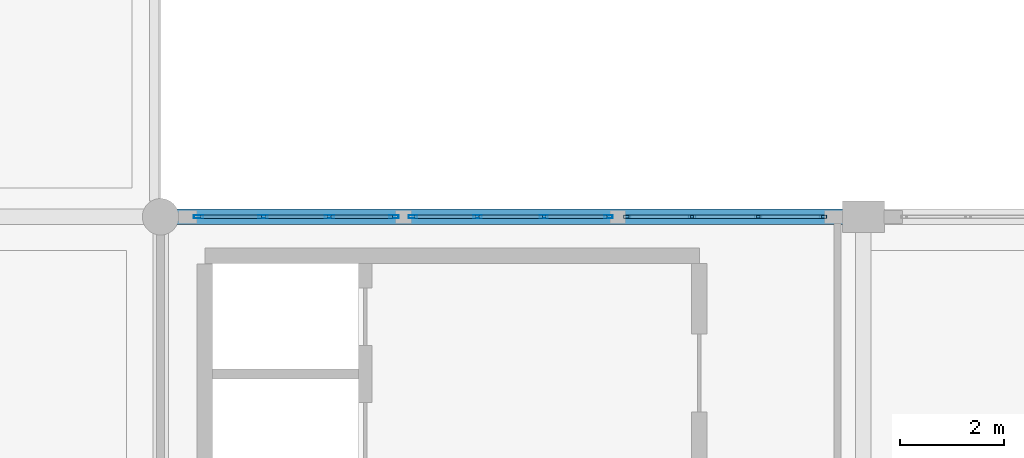
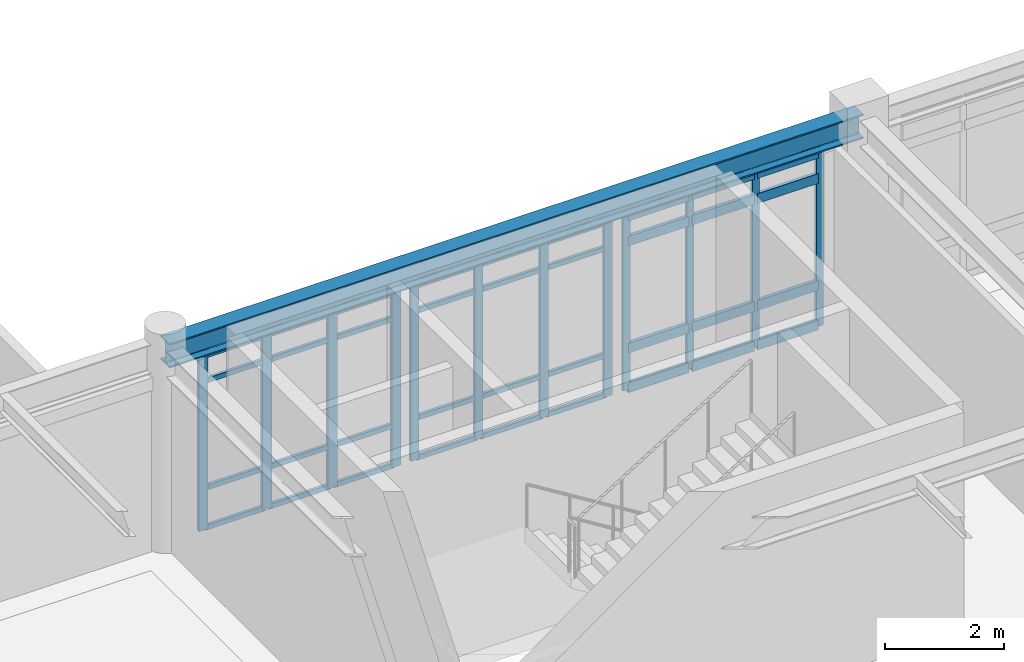
# One storey, part 7 of 61: 48 members, 1 beam, 3 elements without a shape of their own.
"""IFC4 building model written with IfcOpenShell, lengths in metres."""

from ifc_helpers import new_model, si_unit, direction, frame, origin, origin_2d, place, context, subcontext, project, spatial, hollow_rectangle, i_section, extrude, material, layer, layer_set, material_profile, profile_set, type_object, element, aggregate, save


model = new_model("IFC4")

# Units and contexts
model_context = context("Model", 3, precision=1e-05, world=origin(), true_north=direction((0.0, 1.0)))
body_context = subcontext(model_context, "Body", "Model", "MODEL_VIEW")
ifc_project = project(units=[si_unit("LENGTHUNIT", "METRE"), si_unit("AREAUNIT", "SQUARE_METRE"), si_unit("VOLUMEUNIT", "CUBIC_METRE"), si_unit("PLANEANGLEUNIT", "RADIAN"), si_unit("MASSUNIT", "GRAM", prefix="KILO")], contexts=[model_context])

# Site, building, storey
site_placement = place(None, origin())
site = spatial("IfcSite", under=ifc_project, at=site_placement, CompositionType="ELEMENT")
building_placement = place(site_placement, origin())
building = spatial("IfcBuilding", under=site, at=building_placement, Name="Fikremerkos Civic Library", CompositionType="ELEMENT")
storey_placement = place(building_placement, frame((0.0, 0.0, 14.39990234375)))
storey = spatial("IfcBuildingStorey", under=building, at=storey_placement, Name="L03", CompositionType="ELEMENT", Elevation=14.39990234375)

# Curtain wall, members
ifc_material_1 = material(Name="Anodized aluminium Frame", Category="aluminium")
ifc_layer_1 = layer(ifc_material_1, 0.159912109375, Name="Anodized aluminium Frame")
ifc_layer_set_1 = layer_set([ifc_layer_1], Name="Anodized aluminium Frame")
curtain_wall_type_1 = type_object("IfcCurtainWallType", Name="Unitised curtain wall CW-05 3800x4100", PredefinedType="USERDEFINED", material=ifc_layer_set_1)
curtain_wall_1_placement = place(storey_placement, origin())
curtain_wall_1 = element("IfcCurtainWall", 1, at=curtain_wall_1_placement, inside=storey, type_object=curtain_wall_type_1, Name="Unitised curtain wall CW-05 L03 #185", ObjectType="UNITISED CURTAIN WALL", PredefinedType="USERDEFINED")
ifc_material_profile_1 = material_profile(ifc_material_1, hollow_rectangle(XDim=0.06494140625, YDim=0.179931640625, WallThickness=0.00439453125, at=origin_2d()), Name="ALU 180x65x4.5")
ifc_profile_set_1 = profile_set([ifc_material_profile_1], Name="Anodized aluminium Frame")
member_type_1 = type_object("IfcMemberType", Name="Curtain mullion CWM-01 ALU 180x65x4.5", PredefinedType="MULLION", material=ifc_profile_set_1)
member_1_placement = place(storey_placement, frame((19.930419921875, 31.199951171875, 0.0), z_axis=(0.0, 0.0, 1.0), x_axis=(0.0, 1.0, 0.0)))
member_1 = element("IfcMember", 2, at=member_1_placement, type_object=member_type_1, Name="CW-05 mullion 1", PredefinedType="MULLION", context=body_context, shape_type="SweptSolid", body=[
    extrude(hollow_rectangle(XDim=0.06494140625, YDim=0.179931640625, WallThickness=0.00439453125, at=origin_2d()), origin(), (0.0, 0.0, 1.0), 3.60009765625),
])
member_2_placement = place(storey_placement, frame((21.170654296875, 31.199951171875, 0.0), z_axis=(0.0, 0.0, 1.0), x_axis=(0.0, 1.0, 0.0)))
member_2 = element("IfcMember", 3, at=member_2_placement, type_object=member_type_1, Name="CW-05 mullion 2", PredefinedType="MULLION", context=body_context, shape_type="SweptSolid", body=[
    extrude(hollow_rectangle(XDim=0.06494140625, YDim=0.179931640625, WallThickness=0.00439453125, at=origin_2d()), origin(), (0.0, 0.0, 1.0), 3.60009765625),
])
member_3_placement = place(storey_placement, frame((22.443359375, 31.199951171875, 0.0), z_axis=(0.0, 0.0, 1.0), x_axis=(0.0, 1.0, 0.0)))
member_3 = element("IfcMember", 4, at=member_3_placement, type_object=member_type_1, Name="CW-05 mullion 3", PredefinedType="MULLION", context=body_context, shape_type="SweptSolid", body=[
    extrude(hollow_rectangle(XDim=0.06494140625, YDim=0.179931640625, WallThickness=0.00439453125, at=origin_2d()), origin(), (0.0, 0.0, 1.0), 3.60009765625),
])
member_4_placement = place(storey_placement, frame((23.68359375, 31.199951171875, 0.0), z_axis=(0.0, 0.0, 1.0), x_axis=(0.0, 1.0, 0.0)))
member_4 = element("IfcMember", 5, at=member_4_placement, type_object=member_type_1, Name="CW-05 mullion 4", PredefinedType="MULLION", context=body_context, shape_type="SweptSolid", body=[
    extrude(hollow_rectangle(XDim=0.06494140625, YDim=0.179931640625, WallThickness=0.00439453125, at=origin_2d()), origin(), (0.0, 0.0, 1.0), 3.60009765625),
])

ifc_layer_2 = layer(ifc_material_1, 0.159912109375, Name="Anodized aluminium Frame")
ifc_layer_set_2 = layer_set([ifc_layer_2], Name="Anodized aluminium Frame")
curtain_wall_type_2 = type_object("IfcCurtainWallType", Name="Unitised curtain wall CW-06 4200x4100", PredefinedType="USERDEFINED", material=ifc_layer_set_2)
curtain_wall_2_placement = place(storey_placement, origin())
curtain_wall_2 = element("IfcCurtainWall", 6, at=curtain_wall_2_placement, inside=storey, type_object=curtain_wall_type_2, Name="Unitised curtain wall CW-06 L03 #186", ObjectType="UNITISED CURTAIN WALL", PredefinedType="USERDEFINED")
ifc_material_profile_2 = material_profile(ifc_material_1, hollow_rectangle(XDim=0.06005859375, YDim=0.159912109375, WallThickness=0.00390625, at=origin_2d()), Name="ALU 160x60x4")
ifc_profile_set_2 = profile_set([ifc_material_profile_2], Name="Anodized aluminium Frame")
member_type_2 = type_object("IfcMemberType", Name="Curtain mullion CWM-02 ALU 160x60x4", PredefinedType="MULLION", material=ifc_profile_set_2)
member_5_placement = place(storey_placement, frame((24.0458984375, 31.199951171875, 0.0), z_axis=(0.0, 0.0, 1.0), x_axis=(0.0, 1.0, 0.0)))
member_5 = element("IfcMember", 7, at=member_5_placement, type_object=member_type_2, Name="CW-06 mullion 1", PredefinedType="MULLION", context=body_context, shape_type="SweptSolid", body=[
    extrude(hollow_rectangle(XDim=0.06005859375, YDim=0.159912109375, WallThickness=0.00390625, at=origin_2d()), origin(), (0.0, 0.0, 1.0), 3.60009765625),
])
member_6_placement = place(storey_placement, frame((25.28857421875, 31.199951171875, 0.0), z_axis=(0.0, 0.0, 1.0), x_axis=(0.0, 1.0, 0.0)))
member_6 = element("IfcMember", 8, at=member_6_placement, type_object=member_type_2, Name="CW-06 mullion 2", PredefinedType="MULLION", context=body_context, shape_type="SweptSolid", body=[
    extrude(hollow_rectangle(XDim=0.06005859375, YDim=0.159912109375, WallThickness=0.00390625, at=origin_2d()), origin(), (0.0, 0.0, 1.0), 3.60009765625),
])
member_7_placement = place(storey_placement, frame((26.561279296875, 31.199951171875, 0.0), z_axis=(0.0, 0.0, 1.0), x_axis=(0.0, 1.0, 0.0)))
member_7 = element("IfcMember", 9, at=member_7_placement, type_object=member_type_2, Name="CW-06 mullion 3", PredefinedType="MULLION", context=body_context, shape_type="SweptSolid", body=[
    extrude(hollow_rectangle(XDim=0.06005859375, YDim=0.159912109375, WallThickness=0.00390625, at=origin_2d()), origin(), (0.0, 0.0, 1.0), 3.60009765625),
])
member_8_placement = place(storey_placement, frame((27.803955078125, 31.199951171875, 0.0), z_axis=(0.0, 0.0, 1.0), x_axis=(0.0, 1.0, 0.0)))
member_8 = element("IfcMember", 10, at=member_8_placement, type_object=member_type_2, Name="CW-06 mullion 4", PredefinedType="MULLION", context=body_context, shape_type="SweptSolid", body=[
    extrude(hollow_rectangle(XDim=0.06005859375, YDim=0.159912109375, WallThickness=0.00390625, at=origin_2d()), origin(), (0.0, 0.0, 1.0), 3.60009765625),
])

ifc_layer_3 = layer(ifc_material_1, 0.159912109375, Name="Anodized aluminium Frame")
ifc_layer_set_3 = layer_set([ifc_layer_3], Name="Anodized aluminium Frame")
curtain_wall_type_3 = type_object("IfcCurtainWallType", Name="Unitised curtain wall CW-07 3500x4100", PredefinedType="USERDEFINED", material=ifc_layer_set_3)
curtain_wall_3_placement = place(storey_placement, origin())
curtain_wall_3 = element("IfcCurtainWall", 11, at=curtain_wall_3_placement, inside=storey, type_object=curtain_wall_type_3, Name="Unitised curtain wall CW-07 L03 #187", ObjectType="UNITISED CURTAIN WALL", PredefinedType="USERDEFINED")
ifc_material_profile_3 = material_profile(ifc_material_1, hollow_rectangle(XDim=0.06005859375, YDim=0.139892578125, WallThickness=0.00390625, at=origin_2d()), Name="ALU 140x60x4")
ifc_profile_set_3 = profile_set([ifc_material_profile_3], Name="Anodized aluminium Frame")
member_type_3 = type_object("IfcMemberType", Name="Curtain mullion CWM-03 ALU 140x60x4", PredefinedType="MULLION", material=ifc_profile_set_3)
member_9_placement = place(storey_placement, frame((28.1640625, 31.199951171875, 0.0), z_axis=(0.0, 0.0, 1.0), x_axis=(0.0, 1.0, 0.0)))
member_9 = element("IfcMember", 12, at=member_9_placement, type_object=member_type_3, Name="CW-07 mullion 1", PredefinedType="MULLION", context=body_context, shape_type="SweptSolid", body=[
    extrude(hollow_rectangle(XDim=0.06005859375, YDim=0.139892578125, WallThickness=0.00390625, at=origin_2d()), origin(), (0.0, 0.0, 1.0), 3.60009765625),
])
member_10_placement = place(storey_placement, frame((29.40673828125, 31.199951171875, 0.0), z_axis=(0.0, 0.0, 1.0), x_axis=(0.0, 1.0, 0.0)))
member_10 = element("IfcMember", 13, at=member_10_placement, type_object=member_type_3, Name="CW-07 mullion 2", PredefinedType="MULLION", context=body_context, shape_type="SweptSolid", body=[
    extrude(hollow_rectangle(XDim=0.06005859375, YDim=0.139892578125, WallThickness=0.00390625, at=origin_2d()), origin(), (0.0, 0.0, 1.0), 3.60009765625),
])
member_11_placement = place(storey_placement, frame((30.679443359375, 31.199951171875, 0.0), z_axis=(0.0, 0.0, 1.0), x_axis=(0.0, 1.0, 0.0)))
member_11 = element("IfcMember", 14, at=member_11_placement, type_object=member_type_3, Name="CW-07 mullion 3", PredefinedType="MULLION", context=body_context, shape_type="SweptSolid", body=[
    extrude(hollow_rectangle(XDim=0.06005859375, YDim=0.139892578125, WallThickness=0.00390625, at=origin_2d()), origin(), (0.0, 0.0, 1.0), 3.60009765625),
])
member_12_placement = place(storey_placement, frame((31.922119140625, 31.199951171875, 0.0), z_axis=(0.0, 0.0, 1.0), x_axis=(0.0, 1.0, 0.0)))
member_12 = element("IfcMember", 15, at=member_12_placement, type_object=member_type_3, Name="CW-07 mullion 4", PredefinedType="MULLION", context=body_context, shape_type="SweptSolid", body=[
    extrude(hollow_rectangle(XDim=0.06005859375, YDim=0.139892578125, WallThickness=0.00390625, at=origin_2d()), origin(), (0.0, 0.0, 1.0), 3.60009765625),
])

# Member
ifc_material_profile_4 = material_profile(ifc_material_1, hollow_rectangle(XDim=0.06005859375, YDim=0.10009765625, WallThickness=0.00390625, at=origin_2d()), Name="ALU 100x60x4")
ifc_profile_set_4 = profile_set([ifc_material_profile_4], Name="Anodized aluminium Frame")
member_type_4 = type_object("IfcMemberType", Name="Curtain transom CWT-03 ALU 100x60x4", PredefinedType="USERDEFINED", material=ifc_profile_set_4)
member_13_placement = place(storey_placement, frame((19.962890625, 31.199951171875, 0.030029296875), z_axis=(1.0, 0.0, 0.0), x_axis=(0.0, 1.0, 0.0)))
member_13 = element("IfcMember", 16, at=member_13_placement, type_object=member_type_4, Name="CW-05 transom 1.1", ObjectType="TRANSOM", PredefinedType="USERDEFINED", context=body_context, shape_type="SweptSolid", body=[
    extrude(hollow_rectangle(XDim=0.06005859375, YDim=0.10009765625, WallThickness=0.00390625, at=origin_2d()), origin(), (0.0, 0.0, 1.0), 1.17529296875),
])

member_14_placement = place(storey_placement, frame((19.962890625, 31.199951171875, 0.85009765625), z_axis=(1.0, 0.0, 0.0), x_axis=(0.0, 1.0, 0.0)))
member_14 = element("IfcMember", 17, at=member_14_placement, type_object=member_type_4, Name="CW-05 transom 1.2", ObjectType="TRANSOM", PredefinedType="USERDEFINED", context=body_context, shape_type="SweptSolid", body=[
    extrude(hollow_rectangle(XDim=0.06005859375, YDim=0.10009765625, WallThickness=0.00390625, at=origin_2d()), origin(), (0.0, 0.0, 1.0), 1.17529296875),
])

member_15_placement = place(storey_placement, frame((19.962890625, 31.199951171875, 3.050048828125), z_axis=(1.0, 0.0, 0.0), x_axis=(0.0, 1.0, 0.0)))
member_15 = element("IfcMember", 18, at=member_15_placement, type_object=member_type_4, Name="CW-05 transom 1.3", ObjectType="TRANSOM", PredefinedType="USERDEFINED", context=body_context, shape_type="SweptSolid", body=[
    extrude(hollow_rectangle(XDim=0.06005859375, YDim=0.10009765625, WallThickness=0.00390625, at=origin_2d()), origin(), (0.0, 0.0, 1.0), 1.17529296875),
])

member_16_placement = place(storey_placement, frame((19.962890625, 31.199951171875, 3.570068359375), z_axis=(1.0, 0.0, 0.0), x_axis=(0.0, 1.0, 0.0)))
member_16 = element("IfcMember", 19, at=member_16_placement, type_object=member_type_4, Name="CW-05 transom 1.4", ObjectType="TRANSOM", PredefinedType="USERDEFINED", context=body_context, shape_type="SweptSolid", body=[
    extrude(hollow_rectangle(XDim=0.06005859375, YDim=0.10009765625, WallThickness=0.00390625, at=origin_2d()), origin(), (0.0, 0.0, 1.0), 1.17529296875),
])

member_17_placement = place(storey_placement, frame((21.203125, 31.199951171875, 0.030029296875), z_axis=(1.0, 0.0, 0.0), x_axis=(0.0, 1.0, 0.0)))
member_17 = element("IfcMember", 20, at=member_17_placement, type_object=member_type_4, Name="CW-05 transom 2.1", ObjectType="TRANSOM", PredefinedType="USERDEFINED", context=body_context, shape_type="SweptSolid", body=[
    extrude(hollow_rectangle(XDim=0.06005859375, YDim=0.10009765625, WallThickness=0.00390625, at=origin_2d()), origin(), (0.0, 0.0, 1.0), 1.207763671875),
])

member_18_placement = place(storey_placement, frame((21.203125, 31.199951171875, 0.85009765625), z_axis=(1.0, 0.0, 0.0), x_axis=(0.0, 1.0, 0.0)))
member_18 = element("IfcMember", 21, at=member_18_placement, type_object=member_type_4, Name="CW-05 transom 2.2", ObjectType="TRANSOM", PredefinedType="USERDEFINED", context=body_context, shape_type="SweptSolid", body=[
    extrude(hollow_rectangle(XDim=0.06005859375, YDim=0.10009765625, WallThickness=0.00390625, at=origin_2d()), origin(), (0.0, 0.0, 1.0), 1.207763671875),
])

member_19_placement = place(storey_placement, frame((21.203125, 31.199951171875, 3.050048828125), z_axis=(1.0, 0.0, 0.0), x_axis=(0.0, 1.0, 0.0)))
member_19 = element("IfcMember", 22, at=member_19_placement, type_object=member_type_4, Name="CW-05 transom 2.3", ObjectType="TRANSOM", PredefinedType="USERDEFINED", context=body_context, shape_type="SweptSolid", body=[
    extrude(hollow_rectangle(XDim=0.06005859375, YDim=0.10009765625, WallThickness=0.00390625, at=origin_2d()), origin(), (0.0, 0.0, 1.0), 1.207763671875),
])

member_20_placement = place(storey_placement, frame((21.203125, 31.199951171875, 3.570068359375), z_axis=(1.0, 0.0, 0.0), x_axis=(0.0, 1.0, 0.0)))
member_20 = element("IfcMember", 23, at=member_20_placement, type_object=member_type_4, Name="CW-05 transom 2.4", ObjectType="TRANSOM", PredefinedType="USERDEFINED", context=body_context, shape_type="SweptSolid", body=[
    extrude(hollow_rectangle(XDim=0.06005859375, YDim=0.10009765625, WallThickness=0.00390625, at=origin_2d()), origin(), (0.0, 0.0, 1.0), 1.207763671875),
])

member_21_placement = place(storey_placement, frame((22.475830078125, 31.199951171875, 0.030029296875), z_axis=(1.0, 0.0, 0.0), x_axis=(0.0, 1.0, 0.0)))
member_21 = element("IfcMember", 24, at=member_21_placement, type_object=member_type_4, Name="CW-05 transom 3.1", ObjectType="TRANSOM", PredefinedType="USERDEFINED", context=body_context, shape_type="SweptSolid", body=[
    extrude(hollow_rectangle(XDim=0.06005859375, YDim=0.10009765625, WallThickness=0.00390625, at=origin_2d()), origin(), (0.0, 0.0, 1.0), 1.175048828125),
])

member_22_placement = place(storey_placement, frame((22.475830078125, 31.199951171875, 0.85009765625), z_axis=(1.0, 0.0, 0.0), x_axis=(0.0, 1.0, 0.0)))
member_22 = element("IfcMember", 25, at=member_22_placement, type_object=member_type_4, Name="CW-05 transom 3.2", ObjectType="TRANSOM", PredefinedType="USERDEFINED", context=body_context, shape_type="SweptSolid", body=[
    extrude(hollow_rectangle(XDim=0.06005859375, YDim=0.10009765625, WallThickness=0.00390625, at=origin_2d()), origin(), (0.0, 0.0, 1.0), 1.175048828125),
])

member_23_placement = place(storey_placement, frame((22.475830078125, 31.199951171875, 3.050048828125), z_axis=(1.0, 0.0, 0.0), x_axis=(0.0, 1.0, 0.0)))
member_23 = element("IfcMember", 26, at=member_23_placement, type_object=member_type_4, Name="CW-05 transom 3.3", ObjectType="TRANSOM", PredefinedType="USERDEFINED", context=body_context, shape_type="SweptSolid", body=[
    extrude(hollow_rectangle(XDim=0.06005859375, YDim=0.10009765625, WallThickness=0.00390625, at=origin_2d()), origin(), (0.0, 0.0, 1.0), 1.175048828125),
])

member_24_placement = place(storey_placement, frame((22.475830078125, 31.199951171875, 3.570068359375), z_axis=(1.0, 0.0, 0.0), x_axis=(0.0, 1.0, 0.0)))
member_24 = element("IfcMember", 27, at=member_24_placement, type_object=member_type_4, Name="CW-05 transom 3.4", ObjectType="TRANSOM", PredefinedType="USERDEFINED", context=body_context, shape_type="SweptSolid", body=[
    extrude(hollow_rectangle(XDim=0.06005859375, YDim=0.10009765625, WallThickness=0.00390625, at=origin_2d()), origin(), (0.0, 0.0, 1.0), 1.175048828125),
])

aggregate(curtain_wall_1, [member_1, member_2, member_3, member_4, member_13, member_14, member_15, member_16, member_17, member_18, member_19, member_20, member_21, member_22, member_23, member_24])

member_25_placement = place(storey_placement, frame((24.075927734375, 31.199951171875, 0.030029296875), z_axis=(1.0, 0.0, 0.0), x_axis=(0.0, 1.0, 0.0)))
member_25 = element("IfcMember", 28, at=member_25_placement, type_object=member_type_4, Name="CW-06 transom 1.1", ObjectType="TRANSOM", PredefinedType="USERDEFINED", context=body_context, shape_type="SweptSolid", body=[
    extrude(hollow_rectangle(XDim=0.06005859375, YDim=0.10009765625, WallThickness=0.00390625, at=origin_2d()), origin(), (0.0, 0.0, 1.0), 1.1826171875),
])

member_26_placement = place(storey_placement, frame((24.075927734375, 31.199951171875, 0.85009765625), z_axis=(1.0, 0.0, 0.0), x_axis=(0.0, 1.0, 0.0)))
member_26 = element("IfcMember", 29, at=member_26_placement, type_object=member_type_4, Name="CW-06 transom 1.2", ObjectType="TRANSOM", PredefinedType="USERDEFINED", context=body_context, shape_type="SweptSolid", body=[
    extrude(hollow_rectangle(XDim=0.06005859375, YDim=0.10009765625, WallThickness=0.00390625, at=origin_2d()), origin(), (0.0, 0.0, 1.0), 1.1826171875),
])

member_27_placement = place(storey_placement, frame((24.075927734375, 31.199951171875, 3.050048828125), z_axis=(1.0, 0.0, 0.0), x_axis=(0.0, 1.0, 0.0)))
member_27 = element("IfcMember", 30, at=member_27_placement, type_object=member_type_4, Name="CW-06 transom 1.3", ObjectType="TRANSOM", PredefinedType="USERDEFINED", context=body_context, shape_type="SweptSolid", body=[
    extrude(hollow_rectangle(XDim=0.06005859375, YDim=0.10009765625, WallThickness=0.00390625, at=origin_2d()), origin(), (0.0, 0.0, 1.0), 1.1826171875),
])

member_28_placement = place(storey_placement, frame((24.075927734375, 31.199951171875, 3.570068359375), z_axis=(1.0, 0.0, 0.0), x_axis=(0.0, 1.0, 0.0)))
member_28 = element("IfcMember", 31, at=member_28_placement, type_object=member_type_4, Name="CW-06 transom 1.4", ObjectType="TRANSOM", PredefinedType="USERDEFINED", context=body_context, shape_type="SweptSolid", body=[
    extrude(hollow_rectangle(XDim=0.06005859375, YDim=0.10009765625, WallThickness=0.00390625, at=origin_2d()), origin(), (0.0, 0.0, 1.0), 1.1826171875),
])

member_29_placement = place(storey_placement, frame((25.318603515625, 31.199951171875, 0.030029296875), z_axis=(1.0, 0.0, 0.0), x_axis=(0.0, 1.0, 0.0)))
member_29 = element("IfcMember", 32, at=member_29_placement, type_object=member_type_4, Name="CW-06 transom 2.1", ObjectType="TRANSOM", PredefinedType="USERDEFINED", context=body_context, shape_type="SweptSolid", body=[
    extrude(hollow_rectangle(XDim=0.06005859375, YDim=0.10009765625, WallThickness=0.00390625, at=origin_2d()), origin(), (0.0, 0.0, 1.0), 1.212646484375),
])

member_30_placement = place(storey_placement, frame((25.318603515625, 31.199951171875, 0.85009765625), z_axis=(1.0, 0.0, 0.0), x_axis=(0.0, 1.0, 0.0)))
member_30 = element("IfcMember", 33, at=member_30_placement, type_object=member_type_4, Name="CW-06 transom 2.2", ObjectType="TRANSOM", PredefinedType="USERDEFINED", context=body_context, shape_type="SweptSolid", body=[
    extrude(hollow_rectangle(XDim=0.06005859375, YDim=0.10009765625, WallThickness=0.00390625, at=origin_2d()), origin(), (0.0, 0.0, 1.0), 1.212646484375),
])

member_31_placement = place(storey_placement, frame((25.318603515625, 31.199951171875, 3.050048828125), z_axis=(1.0, 0.0, 0.0), x_axis=(0.0, 1.0, 0.0)))
member_31 = element("IfcMember", 34, at=member_31_placement, type_object=member_type_4, Name="CW-06 transom 2.3", ObjectType="TRANSOM", PredefinedType="USERDEFINED", context=body_context, shape_type="SweptSolid", body=[
    extrude(hollow_rectangle(XDim=0.06005859375, YDim=0.10009765625, WallThickness=0.00390625, at=origin_2d()), origin(), (0.0, 0.0, 1.0), 1.212646484375),
])

member_32_placement = place(storey_placement, frame((25.318603515625, 31.199951171875, 3.570068359375), z_axis=(1.0, 0.0, 0.0), x_axis=(0.0, 1.0, 0.0)))
member_32 = element("IfcMember", 35, at=member_32_placement, type_object=member_type_4, Name="CW-06 transom 2.4", ObjectType="TRANSOM", PredefinedType="USERDEFINED", context=body_context, shape_type="SweptSolid", body=[
    extrude(hollow_rectangle(XDim=0.06005859375, YDim=0.10009765625, WallThickness=0.00390625, at=origin_2d()), origin(), (0.0, 0.0, 1.0), 1.212646484375),
])

member_33_placement = place(storey_placement, frame((26.59130859375, 31.199951171875, 0.030029296875), z_axis=(1.0, 0.0, 0.0), x_axis=(0.0, 1.0, 0.0)))
member_33 = element("IfcMember", 36, at=member_33_placement, type_object=member_type_4, Name="CW-06 transom 3.1", ObjectType="TRANSOM", PredefinedType="USERDEFINED", context=body_context, shape_type="SweptSolid", body=[
    extrude(hollow_rectangle(XDim=0.06005859375, YDim=0.10009765625, WallThickness=0.00390625, at=origin_2d()), origin(), (0.0, 0.0, 1.0), 1.1826171875),
])

member_34_placement = place(storey_placement, frame((26.59130859375, 31.199951171875, 0.85009765625), z_axis=(1.0, 0.0, 0.0), x_axis=(0.0, 1.0, 0.0)))
member_34 = element("IfcMember", 37, at=member_34_placement, type_object=member_type_4, Name="CW-06 transom 3.2", ObjectType="TRANSOM", PredefinedType="USERDEFINED", context=body_context, shape_type="SweptSolid", body=[
    extrude(hollow_rectangle(XDim=0.06005859375, YDim=0.10009765625, WallThickness=0.00390625, at=origin_2d()), origin(), (0.0, 0.0, 1.0), 1.1826171875),
])

member_35_placement = place(storey_placement, frame((26.59130859375, 31.199951171875, 3.050048828125), z_axis=(1.0, 0.0, 0.0), x_axis=(0.0, 1.0, 0.0)))
member_35 = element("IfcMember", 38, at=member_35_placement, type_object=member_type_4, Name="CW-06 transom 3.3", ObjectType="TRANSOM", PredefinedType="USERDEFINED", context=body_context, shape_type="SweptSolid", body=[
    extrude(hollow_rectangle(XDim=0.06005859375, YDim=0.10009765625, WallThickness=0.00390625, at=origin_2d()), origin(), (0.0, 0.0, 1.0), 1.1826171875),
])

member_36_placement = place(storey_placement, frame((26.59130859375, 31.199951171875, 3.570068359375), z_axis=(1.0, 0.0, 0.0), x_axis=(0.0, 1.0, 0.0)))
member_36 = element("IfcMember", 39, at=member_36_placement, type_object=member_type_4, Name="CW-06 transom 3.4", ObjectType="TRANSOM", PredefinedType="USERDEFINED", context=body_context, shape_type="SweptSolid", body=[
    extrude(hollow_rectangle(XDim=0.06005859375, YDim=0.10009765625, WallThickness=0.00390625, at=origin_2d()), origin(), (0.0, 0.0, 1.0), 1.1826171875),
])

aggregate(curtain_wall_2, [member_5, member_6, member_7, member_8, member_25, member_26, member_27, member_28, member_29, member_30, member_31, member_32, member_33, member_34, member_35, member_36])

ifc_material_profile_5 = material_profile(ifc_material_1, hollow_rectangle(XDim=0.070068359375, YDim=0.199951171875, WallThickness=0.0048828125, at=origin_2d()), Name="ALU 200x70x5")
ifc_profile_set_5 = profile_set([ifc_material_profile_5], Name="Anodized aluminium Frame")
member_type_5 = type_object("IfcMemberType", Name="Curtain transom CWT-04 ALU 200x70x5", PredefinedType="USERDEFINED", material=ifc_profile_set_5)
member_37_placement = place(storey_placement, frame((28.194091796875, 31.199951171875, 0.03515625), z_axis=(1.0, 0.0, 0.0), x_axis=(0.0, 1.0, 0.0)))
member_37 = element("IfcMember", 40, at=member_37_placement, type_object=member_type_5, Name="CW-07 transom 1.1", ObjectType="TRANSOM", PredefinedType="USERDEFINED", context=body_context, shape_type="SweptSolid", body=[
    extrude(hollow_rectangle(XDim=0.070068359375, YDim=0.199951171875, WallThickness=0.0048828125, at=origin_2d()), origin(), (0.0, 0.0, 1.0), 1.1826171875),
])

member_38_placement = place(storey_placement, frame((28.194091796875, 31.199951171875, 0.85009765625), z_axis=(1.0, 0.0, 0.0), x_axis=(0.0, 1.0, 0.0)))
member_38 = element("IfcMember", 41, at=member_38_placement, type_object=member_type_5, Name="CW-07 transom 1.2", ObjectType="TRANSOM", PredefinedType="USERDEFINED", context=body_context, shape_type="SweptSolid", body=[
    extrude(hollow_rectangle(XDim=0.070068359375, YDim=0.199951171875, WallThickness=0.0048828125, at=origin_2d()), origin(), (0.0, 0.0, 1.0), 1.1826171875),
])

member_39_placement = place(storey_placement, frame((28.194091796875, 31.199951171875, 3.050048828125), z_axis=(1.0, 0.0, 0.0), x_axis=(0.0, 1.0, 0.0)))
member_39 = element("IfcMember", 42, at=member_39_placement, type_object=member_type_5, Name="CW-07 transom 1.3", ObjectType="TRANSOM", PredefinedType="USERDEFINED", context=body_context, shape_type="SweptSolid", body=[
    extrude(hollow_rectangle(XDim=0.070068359375, YDim=0.199951171875, WallThickness=0.0048828125, at=origin_2d()), origin(), (0.0, 0.0, 1.0), 1.1826171875),
])

member_40_placement = place(storey_placement, frame((28.194091796875, 31.199951171875, 3.565185546875), z_axis=(1.0, 0.0, 0.0), x_axis=(0.0, 1.0, 0.0)))
member_40 = element("IfcMember", 43, at=member_40_placement, type_object=member_type_5, Name="CW-07 transom 1.4", ObjectType="TRANSOM", PredefinedType="USERDEFINED", context=body_context, shape_type="SweptSolid", body=[
    extrude(hollow_rectangle(XDim=0.070068359375, YDim=0.199951171875, WallThickness=0.0048828125, at=origin_2d()), origin(), (0.0, 0.0, 1.0), 1.1826171875),
])

member_41_placement = place(storey_placement, frame((29.436767578125, 31.199951171875, 0.03515625), z_axis=(1.0, 0.0, 0.0), x_axis=(0.0, 1.0, 0.0)))
member_41 = element("IfcMember", 44, at=member_41_placement, type_object=member_type_5, Name="CW-07 transom 2.1", ObjectType="TRANSOM", PredefinedType="USERDEFINED", context=body_context, shape_type="SweptSolid", body=[
    extrude(hollow_rectangle(XDim=0.070068359375, YDim=0.199951171875, WallThickness=0.0048828125, at=origin_2d()), origin(), (0.0, 0.0, 1.0), 1.212646484375),
])

member_42_placement = place(storey_placement, frame((29.436767578125, 31.199951171875, 0.85009765625), z_axis=(1.0, 0.0, 0.0), x_axis=(0.0, 1.0, 0.0)))
member_42 = element("IfcMember", 45, at=member_42_placement, type_object=member_type_5, Name="CW-07 transom 2.2", ObjectType="TRANSOM", PredefinedType="USERDEFINED", context=body_context, shape_type="SweptSolid", body=[
    extrude(hollow_rectangle(XDim=0.070068359375, YDim=0.199951171875, WallThickness=0.0048828125, at=origin_2d()), origin(), (0.0, 0.0, 1.0), 1.212646484375),
])

member_43_placement = place(storey_placement, frame((29.436767578125, 31.199951171875, 3.050048828125), z_axis=(1.0, 0.0, 0.0), x_axis=(0.0, 1.0, 0.0)))
member_43 = element("IfcMember", 46, at=member_43_placement, type_object=member_type_5, Name="CW-07 transom 2.3", ObjectType="TRANSOM", PredefinedType="USERDEFINED", context=body_context, shape_type="SweptSolid", body=[
    extrude(hollow_rectangle(XDim=0.070068359375, YDim=0.199951171875, WallThickness=0.0048828125, at=origin_2d()), origin(), (0.0, 0.0, 1.0), 1.212646484375),
])

member_44_placement = place(storey_placement, frame((29.436767578125, 31.199951171875, 3.565185546875), z_axis=(1.0, 0.0, 0.0), x_axis=(0.0, 1.0, 0.0)))
member_44 = element("IfcMember", 47, at=member_44_placement, type_object=member_type_5, Name="CW-07 transom 2.4", ObjectType="TRANSOM", PredefinedType="USERDEFINED", context=body_context, shape_type="SweptSolid", body=[
    extrude(hollow_rectangle(XDim=0.070068359375, YDim=0.199951171875, WallThickness=0.0048828125, at=origin_2d()), origin(), (0.0, 0.0, 1.0), 1.212646484375),
])

member_45_placement = place(storey_placement, frame((30.709228515625, 31.199951171875, 0.03515625), z_axis=(1.0, 0.0, 0.0), x_axis=(0.0, 1.0, 0.0)))
member_45 = element("IfcMember", 48, at=member_45_placement, type_object=member_type_5, Name="CW-07 transom 3.1", ObjectType="TRANSOM", PredefinedType="USERDEFINED", context=body_context, shape_type="SweptSolid", body=[
    extrude(hollow_rectangle(XDim=0.070068359375, YDim=0.199951171875, WallThickness=0.0048828125, at=origin_2d()), origin(), (0.0, 0.0, 1.0), 1.182861328125),
])

member_46_placement = place(storey_placement, frame((30.709228515625, 31.199951171875, 0.85009765625), z_axis=(1.0, 0.0, 0.0), x_axis=(0.0, 1.0, 0.0)))
member_46 = element("IfcMember", 49, at=member_46_placement, type_object=member_type_5, Name="CW-07 transom 3.2", ObjectType="TRANSOM", PredefinedType="USERDEFINED", context=body_context, shape_type="SweptSolid", body=[
    extrude(hollow_rectangle(XDim=0.070068359375, YDim=0.199951171875, WallThickness=0.0048828125, at=origin_2d()), origin(), (0.0, 0.0, 1.0), 1.182861328125),
])

member_47_placement = place(storey_placement, frame((30.709228515625, 31.199951171875, 3.050048828125), z_axis=(1.0, 0.0, 0.0), x_axis=(0.0, 1.0, 0.0)))
member_47 = element("IfcMember", 50, at=member_47_placement, type_object=member_type_5, Name="CW-07 transom 3.3", ObjectType="TRANSOM", PredefinedType="USERDEFINED", context=body_context, shape_type="SweptSolid", body=[
    extrude(hollow_rectangle(XDim=0.070068359375, YDim=0.199951171875, WallThickness=0.0048828125, at=origin_2d()), origin(), (0.0, 0.0, 1.0), 1.182861328125),
])

member_48_placement = place(storey_placement, frame((30.709228515625, 31.199951171875, 3.565185546875), z_axis=(1.0, 0.0, 0.0), x_axis=(0.0, 1.0, 0.0)))
member_48 = element("IfcMember", 51, at=member_48_placement, type_object=member_type_5, Name="CW-07 transom 3.4", ObjectType="TRANSOM", PredefinedType="USERDEFINED", context=body_context, shape_type="SweptSolid", body=[
    extrude(hollow_rectangle(XDim=0.070068359375, YDim=0.199951171875, WallThickness=0.0048828125, at=origin_2d()), origin(), (0.0, 0.0, 1.0), 1.182861328125),
])

aggregate(curtain_wall_3, [member_9, member_10, member_11, member_12, member_37, member_38, member_39, member_40, member_41, member_42, member_43, member_44, member_45, member_46, member_47, member_48])

# Beam
ifc_material_2 = material(Name="Steel S355", Category="steel")
ifc_material_profile_6 = material_profile(ifc_material_2, i_section(OverallWidth=0.300048828125, OverallDepth=0.5, WebThickness=0.014404296875, FlangeThickness=0.028076171875, FilletRadius=0.027099609375, at=origin_2d()), Name="HEB 500")
ifc_profile_set_6 = profile_set([ifc_material_profile_6], Name="Steel S355")
beam_type = type_object("IfcBeamType", Name="Primary girder BM-22 HEB 500", PredefinedType="BEAM", material=ifc_profile_set_6)
beam_placement = place(storey_placement, frame((19.199951171875, 31.199951171875, 3.91015625), z_axis=(1.0, 0.0, 0.0), x_axis=(0.0, 1.0, 0.0)))
element("IfcBeam", 52, at=beam_placement, inside=storey, type_object=beam_type, Name="Primary girder BM-22 L03 grid G", PredefinedType="BEAM", context=body_context, shape_type="SweptSolid", body=[
    extrude(i_section(OverallWidth=0.300048828125, OverallDepth=0.5, WebThickness=0.014404296875, FlangeThickness=0.028076171875, FilletRadius=0.027099609375, at=origin_2d()), origin(), (0.0, 0.0, 1.0), 13.5),
])

save(model, "model.ifc")
